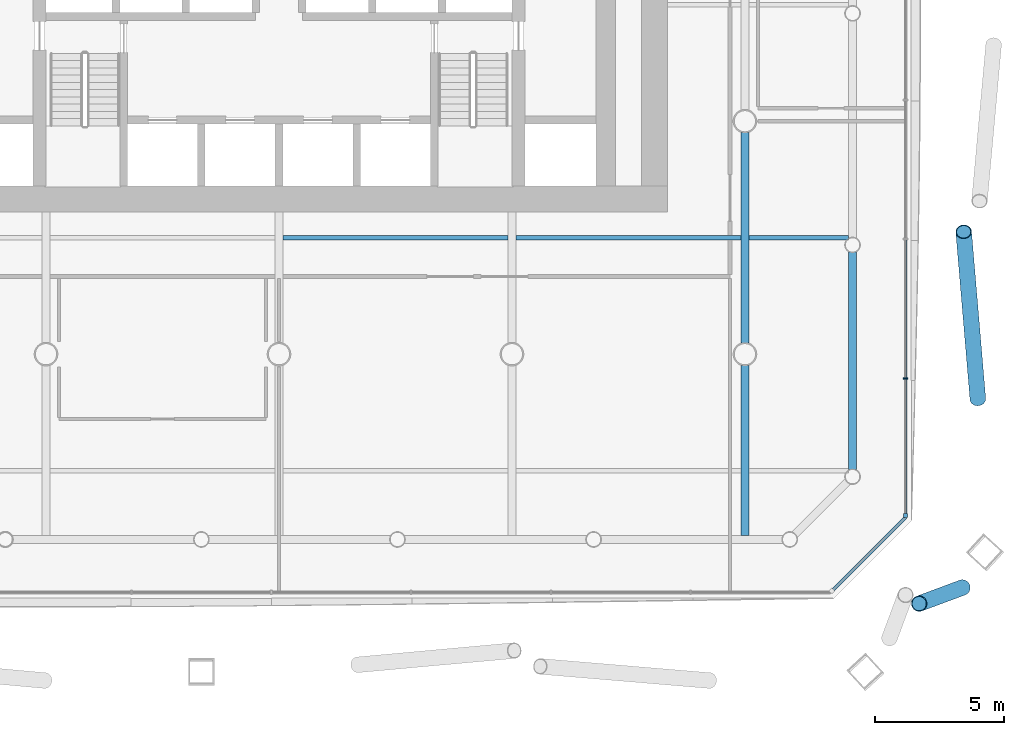
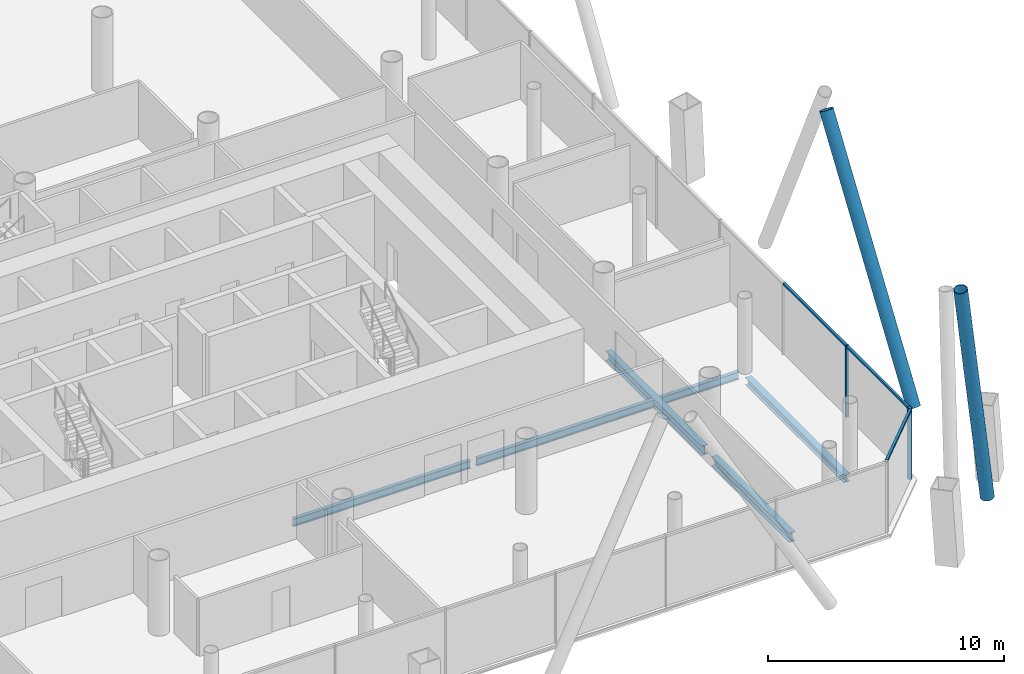
# One storey, part 8 of 25: 7 members, 6 beams, 2 elements without a shape of their own.
"""IFC4 building model written with IfcOpenShell, lengths in metres."""

from ifc_helpers import new_model, si_unit, direction, frame, origin, origin_2d, place, context, subcontext, project, spatial, rectangle, hollow_circle, i_section, extrude, material, material_profile, profile_set, type_object, element, aggregate, save


model = new_model("IFC4")

# Units and contexts
model_context = context("Model", 3, precision=1e-05, world=origin(), true_north=direction((0.0, 1.0)))
body_context = subcontext(model_context, "Body", "Model", "MODEL_VIEW")
ifc_project = project(units=[si_unit("LENGTHUNIT", "METRE"), si_unit("AREAUNIT", "SQUARE_METRE"), si_unit("VOLUMEUNIT", "CUBIC_METRE"), si_unit("PLANEANGLEUNIT", "RADIAN"), si_unit("MASSUNIT", "GRAM", prefix="KILO")], contexts=[model_context])

# Site, building, storey
site_placement = place(None, origin())
site = spatial("IfcSite", under=ifc_project, at=site_placement, CompositionType="ELEMENT")
building_placement = place(site_placement, origin())
building = spatial("IfcBuilding", under=site, at=building_placement, Name="Tskaro Facet Tower", CompositionType="ELEMENT")
storey_placement = place(building_placement, frame((0.0, 0.0, 22.5)))
storey = spatial("IfcBuildingStorey", under=building, at=storey_placement, Name="L04", CompositionType="ELEMENT", Elevation=22.5)

# Members
ifc_material_1 = material(Name="Steel S355J2H", Category="steel")
ifc_material_profile_1 = material_profile(ifc_material_1, hollow_circle(Radius=0.304931640625, WallThickness=0.030029296875, at=origin_2d()), Name="CHS 610x30")
ifc_profile_set_1 = profile_set([ifc_material_profile_1], Name="Steel S355J2H")
member_type_1 = type_object("IfcMemberType", Name="CHS 610x30 brace", PredefinedType="BRACE", material=ifc_profile_set_1)
member_1_placement = place(storey_placement, frame((26.398193359375, -27.01611328125, 0.0), z_axis=(-0.140901008099, -0.052358236977, 0.988638215394), x_axis=(0.348324360199, -0.937374066257, 0.0)))
element("IfcMember", 1, at=member_1_placement, inside=storey, type_object=member_type_1, Name="CHS 610x30 XB03B/1", PredefinedType="BRACE", context=body_context, shape_type="SweptSolid", body=[
    extrude(hollow_circle(Radius=0.304931640625, WallThickness=0.030029296875, at=origin_2d()), origin(), (0.0, 0.0, 1.0), 11.83447265625),
])
member_2_placement = place(storey_placement, frame((26.997314453125, -19.725341796875, 0.0), z_axis=(-0.040963628043, 0.482709989456, 0.874821723128), x_axis=(-0.996418571537, -0.084557851777, 0.0)))
element("IfcMember", 2, at=member_2_placement, inside=storey, type_object=member_type_1, Name="CHS 610x30 XB04A/1", PredefinedType="BRACE", context=body_context, shape_type="SweptSolid", body=[
    extrude(hollow_circle(Radius=0.304931640625, WallThickness=0.030029296875, at=origin_2d()), origin(), (0.0, 0.0, 1.0), 13.3740234375),
])

# Curtain wall, members
ifc_material_2 = material(Name="Bronze anodised aluminium 6063-T6", Category="aluminium")
curtain_wall_type = type_object("IfcCurtainWallType", Name="Bronze office curtain wall (FW1)", PredefinedType="NOTDEFINED", material=ifc_material_2)
curtain_wall_1_placement = place(storey_placement, origin())
curtain_wall_1 = element("IfcCurtainWall", 3, at=curtain_wall_1_placement, inside=storey, type_object=curtain_wall_type, Name="FW1 east facet L04", PredefinedType="NOTDEFINED")
ifc_material_profile_2 = material_profile(ifc_material_2, rectangle(XDim=0.159912109375, YDim=0.159912109375, at=origin_2d()), Name="Corner post 160x160")
ifc_profile_set_2 = profile_set([ifc_material_profile_2], Name="Bronze anodised aluminium 6063-T6")
member_type_2 = type_object("IfcMemberType", Name="FW1 bronze corner post 160x160", PredefinedType="MULLION", material=ifc_profile_set_2)
member_3_placement = place(storey_placement, frame((24.201904296875, -24.22509765625, 0.0), z_axis=(0.0, 0.0, 1.0), x_axis=(0.0, 1.0, 0.0)))
member_3 = element("IfcMember", 4, at=member_3_placement, type_object=member_type_2, Name="FW1 east corner post", PredefinedType="MULLION", context=body_context, shape_type="SweptSolid", body=[
    extrude(rectangle(XDim=0.159912109375, YDim=0.159912109375, at=origin_2d()), origin(), (0.0, 0.0, 1.0), 3.699951171875),
])
ifc_material_profile_3 = material_profile(ifc_material_2, rectangle(XDim=0.06005859375, YDim=0.159912109375, at=origin_2d()), Name="Mullion 60x160")
ifc_profile_set_3 = profile_set([ifc_material_profile_3], Name="Bronze anodised aluminium 6063-T6")
member_type_3 = type_object("IfcMemberType", Name="FW1 bronze mullion 60x160", PredefinedType="MULLION", material=ifc_profile_set_3)
member_4_placement = place(storey_placement, frame((24.201904296875, -18.930419921875, 0.0), z_axis=(0.0, 0.0, 1.0), x_axis=(0.0, 1.0, 0.0)))
member_4 = element("IfcMember", 5, at=member_4_placement, type_object=member_type_3, Name="FW1 east mullion 1", PredefinedType="MULLION", context=body_context, shape_type="SweptSolid", body=[
    extrude(rectangle(XDim=0.06005859375, YDim=0.159912109375, at=origin_2d()), origin(), (0.0, 0.0, 1.0), 3.699951171875),
])

# Curtain wall, member
curtain_wall_2_placement = place(storey_placement, origin())
curtain_wall_2 = element("IfcCurtainWall", 6, at=curtain_wall_2_placement, inside=storey, type_object=curtain_wall_type, Name="FW1 south-east facet L04", PredefinedType="NOTDEFINED")
ifc_material_profile_4 = material_profile(ifc_material_2, rectangle(XDim=0.1201171875, YDim=0.10009765625, at=origin_2d()), Name="Transom 120x100")
ifc_profile_set_4 = profile_set([ifc_material_profile_4], Name="Bronze anodised aluminium 6063-T6")
member_type_4 = type_object("IfcMemberType", Name="FW1 bronze transom 120x100", PredefinedType="USERDEFINED", material=ifc_profile_set_4)
member_5_placement = place(storey_placement, frame((21.418212890625, -27.0888671875, 3.64990234375), z_axis=(0.707075773851, 0.707137787162, 0.0), x_axis=(-0.707137787162, 0.707075773851, 0.0)))
member_5 = element("IfcMember", 7, at=member_5_placement, type_object=member_type_4, Name="FW1 south-east transom 1.1", ObjectType="TRANSOM", PredefinedType="USERDEFINED", context=body_context, shape_type="SweptSolid", body=[
    extrude(rectangle(XDim=0.1201171875, YDim=0.10009765625, at=origin_2d()), origin(), (0.0, 0.0, 1.0), 3.93701171875),
])
aggregate(curtain_wall_2, [member_5])

# Member
member_6_placement = place(storey_placement, frame((24.201904296875, -24.14501953125, 3.64990234375), z_axis=(0.0, 1.0, 0.0), x_axis=(-1.0, 0.0, 0.0)))
member_6 = element("IfcMember", 8, at=member_6_placement, type_object=member_type_4, Name="FW1 east transom 1.1", ObjectType="TRANSOM", PredefinedType="USERDEFINED", context=body_context, shape_type="SweptSolid", body=[
    extrude(rectangle(XDim=0.1201171875, YDim=0.10009765625, at=origin_2d()), origin(), (0.0, 0.0, 1.0), 5.1845703125),
])

member_7_placement = place(storey_placement, frame((24.201904296875, -18.900390625, 3.64990234375), z_axis=(0.0, 1.0, 0.0), x_axis=(-1.0, 0.0, 0.0)))
member_7 = element("IfcMember", 9, at=member_7_placement, type_object=member_type_4, Name="FW1 east transom 2.1", ObjectType="TRANSOM", PredefinedType="USERDEFINED", context=body_context, shape_type="SweptSolid", body=[
    extrude(rectangle(XDim=0.1201171875, YDim=0.10009765625, at=origin_2d()), origin(), (0.0, 0.0, 1.0), 5.314453125),
])

aggregate(curtain_wall_1, [member_3, member_4, member_6, member_7])

# Beams
ifc_material_3 = material(Name="Steel S355J2", Category="steel")
ifc_material_profile_5 = material_profile(ifc_material_3, i_section(OverallWidth=0.300048828125, OverallDepth=0.39990234375, WebThickness=0.013427734375, FlangeThickness=0.02392578125, FilletRadius=0.027099609375, at=origin_2d()), Name="HE 400 B")
ifc_profile_set_5 = profile_set([ifc_material_profile_5], Name="Steel S355J2")
beam_type_1 = type_object("IfcBeamType", Name="HE 400 B ring beam", PredefinedType="BEAM", material=ifc_profile_set_5)
beam_1_placement = place(storey_placement, frame((22.156982421875, -22.4541015625, -0.340087890625), z_axis=(0.0, 1.0, 0.0), x_axis=(-1.0, 0.0, 0.0)))
element("IfcBeam", 10, at=beam_1_placement, inside=storey, type_object=beam_type_1, Name="HE 400 B EB8-1", PredefinedType="BEAM", context=body_context, shape_type="SweptSolid", body=[
    extrude(i_section(OverallWidth=0.300048828125, OverallDepth=0.39990234375, WebThickness=0.013427734375, FlangeThickness=0.02392578125, FilletRadius=0.027099609375, at=origin_2d()), origin(), (0.0, 0.0, 1.0), 8.398193359375),
])
ifc_material_profile_6 = material_profile(ifc_material_3, i_section(OverallWidth=0.300048828125, OverallDepth=0.489990234375, WebThickness=0.011962890625, FlangeThickness=0.02294921875, FilletRadius=0.027099609375, at=origin_2d()), Name="HE 500 A")
ifc_profile_set_6 = profile_set([ifc_material_profile_6], Name="Steel S355J2")
beam_type_2 = type_object("IfcBeamType", Name="HE 500 A girder", PredefinedType="BEAM", material=ifc_profile_set_6)
beam_2_placement = place(storey_placement, frame((18.0, -25.007080078125, -0.385009765625), z_axis=(0.0, 1.0, 0.0), x_axis=(-1.0, 0.0, 0.0)))
element("IfcBeam", 11, at=beam_2_placement, inside=storey, type_object=beam_type_2, Name="HE 500 A GB6-1-1", PredefinedType="BEAM", context=body_context, shape_type="SweptSolid", body=[
    extrude(i_section(OverallWidth=0.300048828125, OverallDepth=0.489990234375, WebThickness=0.011962890625, FlangeThickness=0.02294921875, FilletRadius=0.027099609375, at=origin_2d()), origin(), (0.0, 0.0, 1.0), 6.579833984375),
])
beam_3_placement = place(storey_placement, frame((18.0, -17.57275390625, -0.385009765625), z_axis=(0.0, 1.0, 0.0), x_axis=(-1.0, 0.0, 0.0)))
element("IfcBeam", 12, at=beam_3_placement, inside=storey, type_object=beam_type_2, Name="HE 500 A GB6-2-1", PredefinedType="BEAM", context=body_context, shape_type="SweptSolid", body=[
    extrude(i_section(OverallWidth=0.300048828125, OverallDepth=0.489990234375, WebThickness=0.011962890625, FlangeThickness=0.02294921875, FilletRadius=0.027099609375, at=origin_2d()), origin(), (0.0, 0.0, 1.0), 8.1455078125),
])
ifc_material_profile_7 = material_profile(ifc_material_3, i_section(OverallWidth=0.179931640625, OverallDepth=0.39990234375, WebThickness=0.008544921875, FlangeThickness=0.013427734375, FilletRadius=0.02099609375, at=origin_2d()), Name="IPE 400")
ifc_profile_set_7 = profile_set([ifc_material_profile_7], Name="Steel S355J2")
beam_type_3 = type_object("IfcBeamType", Name="IPE 400 secondary beam", PredefinedType="BEAM", material=ifc_profile_set_7)
for number, where, z_axis, x_axis, name in (
    (13, (0.14990234375, -13.5, -0.340087890625), (1.0, 0.0, 0.0), (0.0, 1.0, 0.0), "IPE 400 SB2a-4-1"),
    (14, (9.14990234375, -13.5, -0.340087890625), (1.0, 0.0, 0.0), (0.0, 1.0, 0.0), "IPE 400 SB2a-5-1"),
):
    element("IfcBeam", number, at=place(storey_placement, frame(where, z_axis=z_axis, x_axis=x_axis)), inside=storey, type_object=beam_type_3, Name=name, PredefinedType="BEAM", context=body_context, shape_type="SweptSolid", body=[
        extrude(i_section(OverallWidth=0.179931640625, OverallDepth=0.39990234375, WebThickness=0.008544921875, FlangeThickness=0.013427734375, FilletRadius=0.02099609375, at=origin_2d()), origin(), (0.0, 0.0, 1.0), 8.7001953125),
    ])
beam_4_placement = place(storey_placement, frame((18.14990234375, -13.5, -0.340087890625), z_axis=(1.0, 0.0, 0.0), x_axis=(0.0, 1.0, 0.0)))
element("IfcBeam", 15, at=beam_4_placement, inside=storey, type_object=beam_type_3, Name="IPE 400 SB2a-6-1", PredefinedType="BEAM", context=body_context, shape_type="SweptSolid", body=[
    extrude(i_section(OverallWidth=0.179931640625, OverallDepth=0.39990234375, WebThickness=0.008544921875, FlangeThickness=0.013427734375, FilletRadius=0.02099609375, at=origin_2d()), origin(), (0.0, 0.0, 1.0), 3.857177734375),
])

save(model, "model.ifc")
